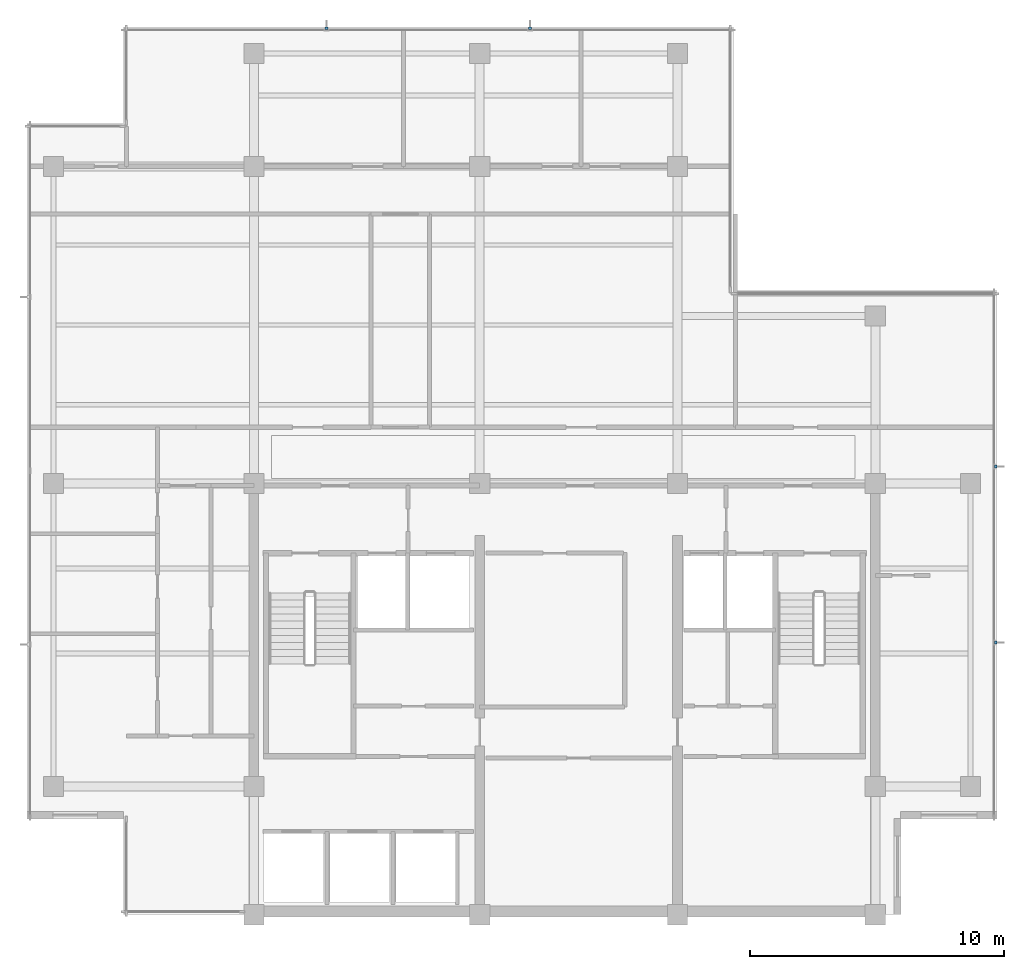
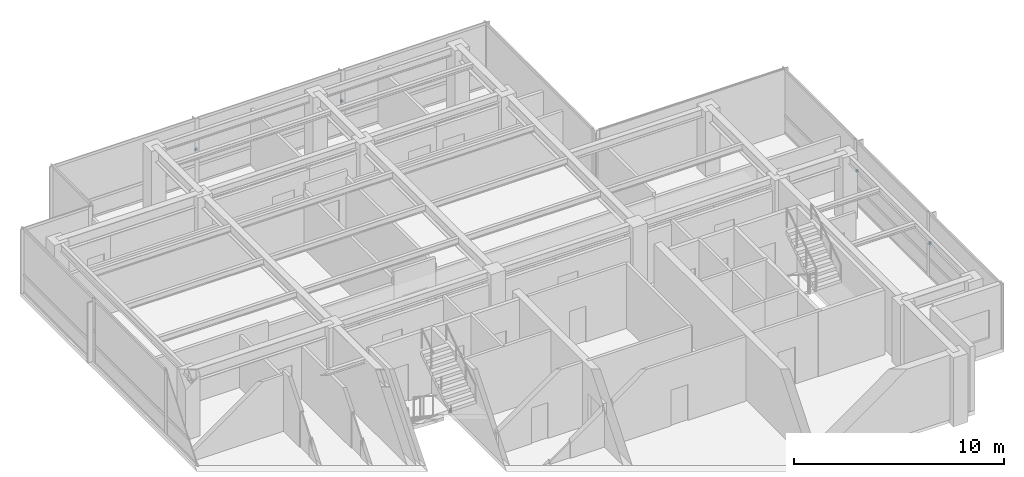
# One storey, part 10 of 11: 4 discrete accessories.
"""IFC4 building model written with IfcOpenShell, lengths in metres."""

from ifc_helpers import new_model, si_unit, direction, frame, origin, place, context, subcontext, project, spatial, polyline, outline, extrude, material, type_object, element, save


model = new_model("IFC4")

# Units and contexts
model_context = context("Model", 3, precision=1e-05, world=origin(), true_north=direction((0.0, 1.0)))
body_context = subcontext(model_context, "Body", "Model", "MODEL_VIEW")
ifc_project = project(units=[si_unit("LENGTHUNIT", "METRE"), si_unit("AREAUNIT", "SQUARE_METRE"), si_unit("VOLUMEUNIT", "CUBIC_METRE"), si_unit("PLANEANGLEUNIT", "RADIAN"), si_unit("MASSUNIT", "GRAM", prefix="KILO")], contexts=[model_context])

# Site, building, storey
site_placement = place(None, origin())
site = spatial("IfcSite", under=ifc_project, at=site_placement, CompositionType="ELEMENT")
building_placement = place(site_placement, origin())
building = spatial("IfcBuilding", under=site, at=building_placement, Name="Qalmaran Belvedere Hotel", CompositionType="ELEMENT")
storey_placement = place(building_placement, frame((0.0, 0.0, 289.89990234375)))
storey = spatial("IfcBuildingStorey", under=building, at=storey_placement, Name="L75", CompositionType="ELEMENT", Elevation=289.89990234375)

# Discrete accessories
ifc_material = material(Name="Stainless Steel 1.4401", Category="steel")
discrete_accessory_type = type_object("IfcDiscreteAccessoryType", Name="BRK-FIN-SS316", PredefinedType="BRACKET", material=ifc_material)
discrete_accessory_1_placement = place(storey_placement, frame((0.0, 0.0, 1.830078125)))
element("IfcDiscreteAccessory", 1, at=discrete_accessory_1_placement, inside=storey, type_object=discrete_accessory_type, Name="L75 Fin Bracket 1", PredefinedType="BRACKET", context=body_context, shape_type="SweptSolid", body=[
    extrude(outline(polyline([(49.4951171875, 14.17822265625), (49.592529296875, 14.17822265625), (49.592529296875, 14.288330078125), (49.4951171875, 14.288330078125), (49.4951171875, 14.17822265625)])), origin(), (0.0, 0.0, 1.0), 0.14013671875),
])
discrete_accessory_2_placement = place(storey_placement, frame((0.0, 0.0, 1.830078125)))
element("IfcDiscreteAccessory", 2, at=discrete_accessory_2_placement, inside=storey, type_object=discrete_accessory_type, Name="L75 Fin Bracket 2", PredefinedType="BRACKET", context=body_context, shape_type="SweptSolid", body=[
    extrude(outline(polyline([(49.4951171875, 21.11181640625), (49.592529296875, 21.11181640625), (49.592529296875, 21.2216796875), (49.4951171875, 21.2216796875), (49.4951171875, 21.11181640625)])), origin(), (0.0, 0.0, 1.0), 0.14013671875),
])
discrete_accessory_3_placement = place(storey_placement, frame((0.0, 0.0, 1.830078125)))
element("IfcDiscreteAccessory", 3, at=discrete_accessory_3_placement, inside=storey, type_object=discrete_accessory_type, Name="L75 Fin Bracket 1", PredefinedType="BRACKET", context=body_context, shape_type="SweptSolid", body=[
    extrude(outline(polyline([(31.23828125, 38.39501953125), (31.23828125, 38.492431640625), (31.12841796875, 38.492431640625), (31.12841796875, 38.39501953125), (31.23828125, 38.39501953125)])), origin(), (0.0, 0.0, 1.0), 0.14013671875),
])
discrete_accessory_4_placement = place(storey_placement, frame((0.0, 0.0, 1.830078125)))
element("IfcDiscreteAccessory", 4, at=discrete_accessory_4_placement, inside=storey, type_object=discrete_accessory_type, Name="L75 Fin Bracket 2", PredefinedType="BRACKET", context=body_context, shape_type="SweptSolid", body=[
    extrude(outline(polyline([(23.2216796875, 38.39501953125), (23.2216796875, 38.492431640625), (23.11181640625, 38.492431640625), (23.11181640625, 38.39501953125), (23.2216796875, 38.39501953125)])), origin(), (0.0, 0.0, 1.0), 0.14013671875),
])

save(model, "model.ifc")
